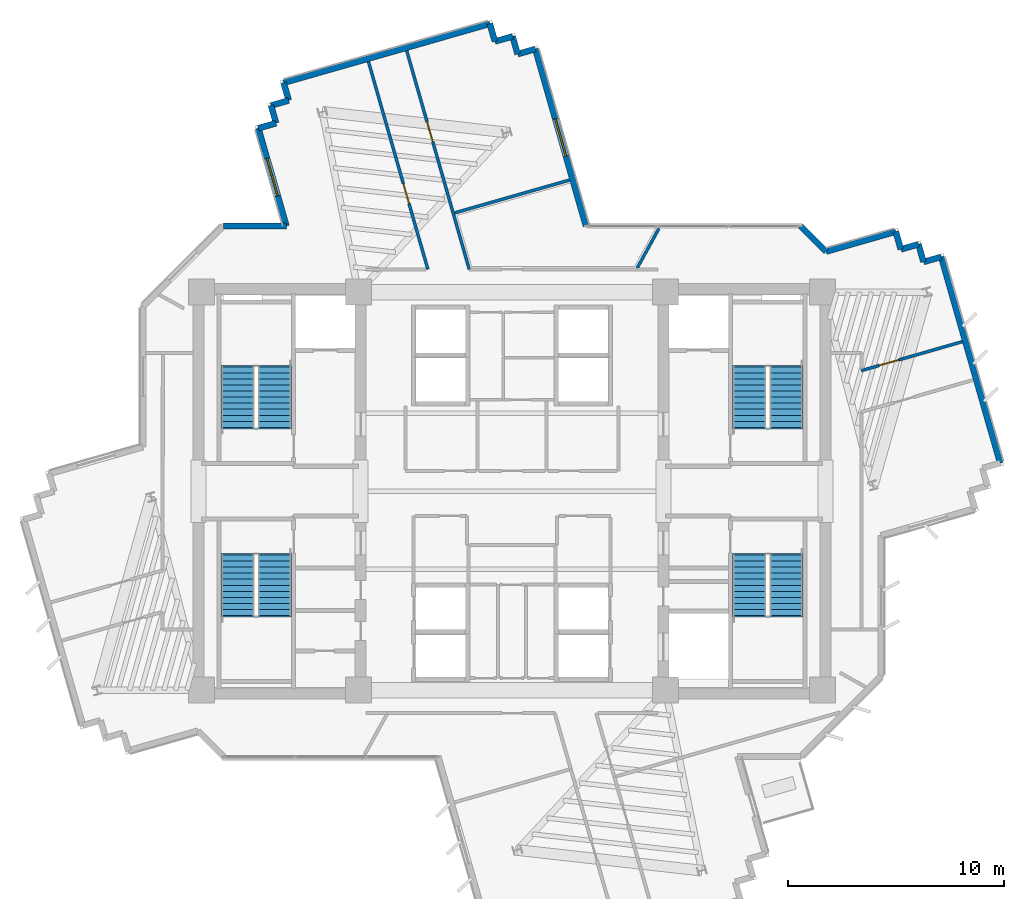
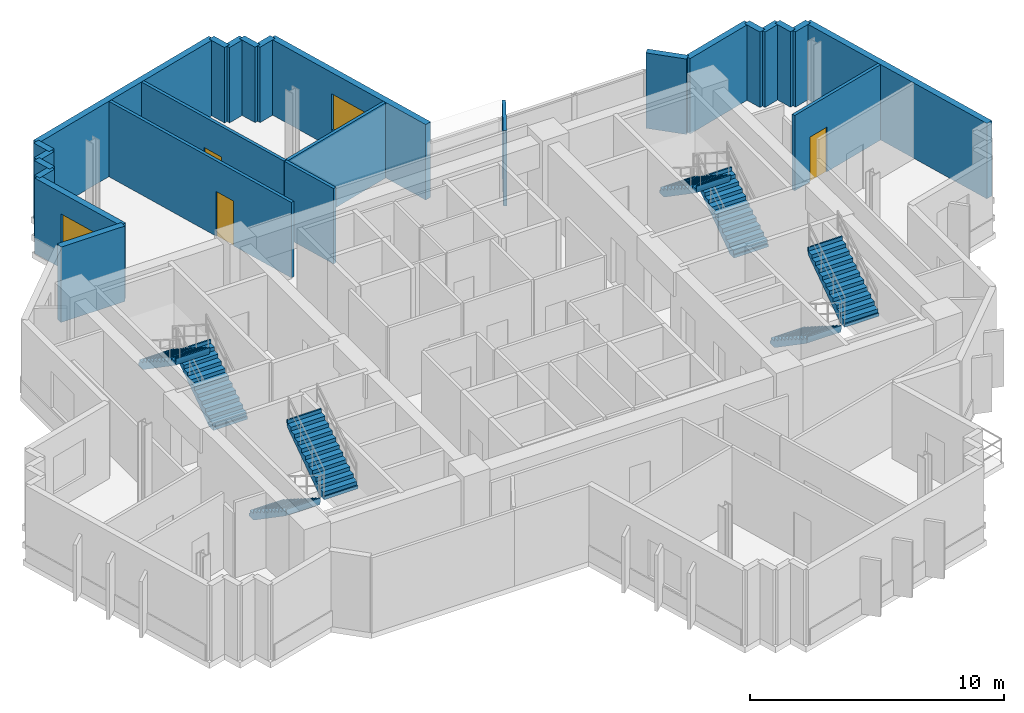
# One storey, part 9 of 14: 25 walls, 8 stair flights, 3 doors, 2 windows, 5 openings, 4 elements without a shape of their own.
"""IFC4 building model written with IfcOpenShell, lengths in metres."""

import ifcopenshell
import ifcopenshell.guid

model = None  # the IFC model being written
_history = None  # IfcOwnerHistory: only IFC2X3 demands one
_inside = {}  # id of a spatial element -> (the spatial element, [elements in it])
_under = {}  # id of a project, library or spatial element -> (it, [spatial elements below it])
_declared = {}  # id of a project -> (the project, [libraries it declares])
_typed = {}  # id of a type object -> (the type object, [elements of that type])
_made_of = {}  # id of a material, layer set ... -> (it, [elements and type objects made of it])


def new_model(schema):
    """Start an empty IFC model of exactly this schema.

    Asked for "IFC4X3", IfcOpenShell would pick the latest addendum, in which some entities
    have other attributes; the version numbers below select the first issue.
    IFC2X3 requires an IfcOwnerHistory on every rooted entity: one is made here for all.
    """
    global model, _history
    if schema == "IFC4X3":
        model = ifcopenshell.file(schema_version=(4, 3, 0, 0))
    else:
        model = ifcopenshell.file(schema=schema)
    _inside.clear()
    _under.clear()
    _declared.clear()
    _typed.clear()
    _made_of.clear()
    _history = None
    if model.schema == "IFC2X3":
        org = make("IfcOrganization", Name="unknown")
        user = make(
            "IfcPersonAndOrganization",
            ThePerson=make("IfcPerson", FamilyName="unknown"),
            TheOrganization=org,
        )
        app = make(
            "IfcApplication",
            ApplicationDeveloper=org,
            Version="unknown",
            ApplicationFullName="unknown",
            ApplicationIdentifier="unknown",
        )
        _history = make(
            "IfcOwnerHistory",
            OwningUser=user,
            OwningApplication=app,
            ChangeAction="ADDED",
            CreationDate=0,
        )
    return model


def make(cls, **values):
    """One entity of the class cls with the attributes given. An attribute that is None is left unset."""
    return model.create_entity(
        cls, **{name: value for name, value in values.items() if value is not None}
    )


def rooted(cls, **values):
    """An entity with a GlobalId (a new one), such as an element, a storey or a relation."""
    return make(cls, GlobalId=ifcopenshell.guid.new(), OwnerHistory=_history, **values)


def si_unit(unit_type, name, prefix=None):
    """IfcSIUnit, for example si_unit("LENGTHUNIT", "METRE", prefix="MILLI")."""
    return make("IfcSIUnit", UnitType=unit_type, Prefix=prefix, Name=name)


def assignment(units):
    """IfcUnitAssignment: the units of a project."""
    return None if units is None else make("IfcUnitAssignment", Units=units)


def point(xyz):
    """IfcCartesianPoint."""
    return None if xyz is None else make("IfcCartesianPoint", Coordinates=xyz)


def direction(xyz):
    """IfcDirection."""
    return None if xyz is None else make("IfcDirection", DirectionRatios=xyz)


def frame(location, z_axis=None, x_axis=None):
    """IfcAxis2Placement3D, a coordinate frame: its origin and axes. An axis left out is left unset."""
    return make(
        "IfcAxis2Placement3D",
        Location=point(location),
        Axis=direction(z_axis),
        RefDirection=direction(x_axis),
    )


def frame_2d(location, x_axis=None):
    """IfcAxis2Placement2D, a coordinate frame in the plane: its origin and x axis."""
    return make(
        "IfcAxis2Placement2D", Location=point(location), RefDirection=direction(x_axis)
    )


def origin():
    """The frame at (0, 0, 0) with its axes left unset."""
    return frame((0.0, 0.0, 0.0))


def place(relative_to, where):
    """IfcLocalPlacement: puts the frame where relative to a parent placement (None: the world)."""
    return make(
        "IfcLocalPlacement", PlacementRelTo=relative_to, RelativePlacement=where
    )


def context(
    kind, dimensions, precision=None, world=None, true_north=None, identifier=None
):
    """IfcGeometricRepresentationContext, for example the 3D "Model" context."""
    return make(
        "IfcGeometricRepresentationContext",
        ContextIdentifier=identifier,
        ContextType=kind,
        CoordinateSpaceDimension=dimensions,
        Precision=precision,
        WorldCoordinateSystem=world,
        TrueNorth=true_north,
    )


def subcontext(parent, identifier, kind, view, scale=None):
    """IfcGeometricRepresentationSubContext, for example "Body" below "Model"."""
    return make(
        "IfcGeometricRepresentationSubContext",
        ContextIdentifier=identifier,
        ContextType=kind,
        ParentContext=parent,
        TargetScale=scale,
        TargetView=view,
    )


def project(units=None, contexts=None):
    """IfcProject with its units and contexts."""
    return rooted(
        "IfcProject",
        Name="project",
        RepresentationContexts=contexts,
        UnitsInContext=assignment(units),
    )


def spatial(cls, under=None, at=None, **own):
    """A site, building, storey or space (cls), placed at a placement, below another one or the project."""
    s = rooted(cls, ObjectPlacement=at, **own)
    if under is not None:
        _under.setdefault(under.id(), (under, []))[1].append(s)
    return s


def polyline(points):
    """IfcPolyline through the points."""
    return make("IfcPolyline", Points=[point(p) for p in points])


def profile(cls, at=None, kind="AREA", **sizes):
    """A parametric profile (cls). Its sizes go by their IFC names, for example OverallWidth=200.0."""
    return make(cls, ProfileType=kind, Position=at, **sizes)


def rectangle(**sizes):
    """IfcRectangleProfileDef."""
    return profile("IfcRectangleProfileDef", **sizes)


def outline(outer, holes=None, kind="AREA"):
    """IfcArbitraryClosedProfileDef: a profile drawn as a closed curve; with holes, ...WithVoids."""
    if holes is None:
        return make("IfcArbitraryClosedProfileDef", ProfileType=kind, OuterCurve=outer)
    return make(
        "IfcArbitraryProfileDefWithVoids",
        ProfileType=kind,
        OuterCurve=outer,
        InnerCurves=holes,
    )


def extrude(swept, where, along, depth):
    """IfcExtrudedAreaSolid: the profile swept, set in the frame where, extruded along a direction by depth."""
    return make(
        "IfcExtrudedAreaSolid",
        SweptArea=swept,
        Position=where,
        ExtrudedDirection=direction(along),
        Depth=depth,
    )


def shape(context_of_items, identifier, shape_type, items):
    """IfcShapeRepresentation: the items that make up one representation, for example the "Body"."""
    return make(
        "IfcShapeRepresentation",
        ContextOfItems=context_of_items,
        RepresentationIdentifier=identifier,
        RepresentationType=shape_type,
        Items=items,
    )


def source(mapping_origin, context_of_items, identifier, shape_type, items):
    """IfcRepresentationMap: a shape defined once, which mapped items show again and again."""
    return make(
        "IfcRepresentationMap",
        MappingOrigin=mapping_origin,
        MappedRepresentation=shape(context_of_items, identifier, shape_type, items),
    )


def transform(
    local_origin,
    x_axis=None,
    y_axis=None,
    z_axis=None,
    scale=None,
    scale2=None,
    scale3=None,
    uniform=True,
):
    """IfcCartesianTransformationOperator3D, or its non-uniform kind. x_axis, y_axis, z_axis: its Axis1, 2, 3."""
    if uniform:
        return make(
            "IfcCartesianTransformationOperator3D",
            Axis1=direction(x_axis),
            Axis2=direction(y_axis),
            LocalOrigin=point(local_origin),
            Scale=scale,
            Axis3=direction(z_axis),
        )
    return make(
        "IfcCartesianTransformationOperator3DnonUniform",
        Axis1=direction(x_axis),
        Axis2=direction(y_axis),
        LocalOrigin=point(local_origin),
        Scale=scale,
        Axis3=direction(z_axis),
        Scale2=scale2,
        Scale3=scale3,
    )


def mapped(mapping_source, mapping_target):
    """IfcMappedItem: shows the shape of a source again, moved by a transform."""
    return make(
        "IfcMappedItem", MappingSource=mapping_source, MappingTarget=mapping_target
    )


def material(Name=None, Category=None):
    """IfcMaterial."""
    return make("IfcMaterial", Name=Name, Category=Category)


def layer(
    of_material, thickness, ventilated=None, Name=None, Category=None, Priority=None
):
    """IfcMaterialLayer: one layer of a wall or slab, of a material (None: an air gap)."""
    return make(
        "IfcMaterialLayer",
        Material=of_material,
        LayerThickness=thickness,
        IsVentilated=ventilated,
        Name=Name,
        Category=Category,
        Priority=Priority,
    )


def layer_set(layers, Name=None):
    """IfcMaterialLayerSet."""
    return make("IfcMaterialLayerSet", MaterialLayers=layers, LayerSetName=Name)


def made_of(thing, what):
    """Note that an element or type object is made of a material, layer set ...; save() writes the relation."""
    if what is not None:
        _made_of.setdefault(what.id(), (what, []))[1].append(thing)
    return thing


def type_object(cls, material=None, **own):
    """A type object (cls), such as IfcWallType, which elements share."""
    return made_of(rooted(cls, **own), material)


def element(
    cls,
    number,
    at=None,
    inside=None,
    cuts=None,
    type_object=None,
    material=None,
    context=None,
    identifier="Body",
    shape_type=None,
    held_by="IfcProductDefinitionShape",
    body=None,
    shapes=None,
    **own,
):
    """One element of the class cls, such as IfcWall. Its Tag is "e" and its number.

    at: its placement. inside: the storey or other place that contains it. cuts: it is an
    opening in that element (IfcRelVoidsElement). A single representation is given by context,
    identifier, shape_type and body (its items); several are given by shapes. held_by: the class
    of the entity that holds the representations. save() writes the other relations.
    """
    e = rooted(cls, Tag="e%d" % number, ObjectPlacement=at, **own)
    if body is not None:
        shapes = [shape(context, identifier, shape_type, body)]
    if shapes is not None:
        e.Representation = make(held_by, Representations=shapes)
    if inside is not None:
        _inside.setdefault(inside.id(), (inside, []))[1].append(e)
    if cuts is not None:
        rooted(
            "IfcRelVoidsElement", RelatingBuildingElement=cuts, RelatedOpeningElement=e
        )
    if type_object is not None:
        _typed.setdefault(type_object.id(), (type_object, []))[1].append(e)
    return made_of(e, material)


def fill(opening, filler):
    """IfcRelFillsElement: the door or window that sits in an opening."""
    return rooted(
        "IfcRelFillsElement",
        RelatingOpeningElement=opening,
        RelatedBuildingElement=filler,
    )


def aggregate(whole, parts):
    """IfcRelAggregates: a whole, such as a stair, and the parts it consists of."""
    return rooted("IfcRelAggregates", RelatingObject=whole, RelatedObjects=parts)


def save(model, path):
    """Write the relations noted so far, then the file.

    IfcRelAggregates (storeys below a building ...), IfcRelContainedInSpatialStructure (elements
    in a storey), IfcRelDefinesByType, IfcRelAssociatesMaterial and IfcRelDeclares: one each for
    every whole, place, type object, material and project.
    """
    for whole, parts in _under.values():
        aggregate(whole, parts)
    for where, things in _inside.values():
        rooted(
            "IfcRelContainedInSpatialStructure",
            RelatedElements=things,
            RelatingStructure=where,
        )
    for kind, things in _typed.values():
        rooted("IfcRelDefinesByType", RelatedObjects=things, RelatingType=kind)
    for what, things in _made_of.values():
        rooted("IfcRelAssociatesMaterial", RelatedObjects=things, RelatingMaterial=what)
    for by, libraries in _declared.values():
        rooted("IfcRelDeclares", RelatingContext=by, RelatedDefinitions=libraries)
    model.write(path)


model = new_model("IFC4")

# Units and contexts
model_context = context("Model", 3, precision=1e-05, world=origin(), true_north=direction((0.0, 1.0)))
body_context = subcontext(model_context, "Body", "Model", "MODEL_VIEW")
ifc_project = project(units=[si_unit("LENGTHUNIT", "METRE"), si_unit("AREAUNIT", "SQUARE_METRE"), si_unit("VOLUMEUNIT", "CUBIC_METRE"), si_unit("PLANEANGLEUNIT", "RADIAN"), si_unit("MASSUNIT", "GRAM", prefix="KILO")], contexts=[model_context])

# Site, building, storey
site_placement = place(None, origin())
site = spatial("IfcSite", under=ifc_project, at=site_placement, CompositionType="ELEMENT")
building_placement = place(site_placement, origin())
building = spatial("IfcBuilding", under=site, at=building_placement, Name="Zahravan Cultural Tower", CompositionType="ELEMENT")
storey_placement = place(building_placement, frame((0.0, 0.0, 205.800048828125)))
storey = spatial("IfcBuildingStorey", under=building, at=storey_placement, Name="L48", CompositionType="ELEMENT", Elevation=205.800048828125)

# Wall, opening, window
ifc_material_1 = material(Name="Precast concrete C40/50", Category="concrete")
ifc_layer_1 = layer(ifc_material_1, 0.280029296875)
ifc_layer_set_1 = layer_set([ifc_layer_1], Name="Precast concrete C40/50")
wall_type_1 = type_object("IfcWallType", Name="EW-TC-280", PredefinedType="SOLIDWALL", material=ifc_layer_set_1)
wall_1_placement = place(storey_placement, frame((25.56689453125, 39.260009765625, 0.0), z_axis=(0.0, 0.0, 1.0), x_axis=(-0.274981611661, 0.961449485542, 0.0)))
wall_1 = element("IfcWall", 1, at=wall_1_placement, inside=storey, type_object=wall_type_1, Name="L48 Exterior Masonry Frame Wall 41", PredefinedType="SOLIDWALL", context=body_context, shape_type="SweptSolid", body=[
    extrude(rectangle(XDim=4.703857421875, YDim=0.280029296875, at=frame_2d((2.35205078125, 0.0))), origin(), (0.0, 0.0, 1.0), 3.619873046875),
])
opening_1_placement = place(wall_1_placement, frame((1.451904296875, 0.0, 0.85009765625)))
opening_1 = element("IfcOpeningElement", 2, at=opening_1_placement, cuts=wall_1, Name="Opening WN-02", PredefinedType="OPENING", context=body_context, shape_type="SweptSolid", body=[
    extrude(rectangle(XDim=1.800048828125, YDim=1.75, at=frame_2d((0.89990234375, 0.875))), frame((0.0, 0.14990234375, 0.0), z_axis=(0.0, -1.0, 0.0), x_axis=(1.0, 0.0, 0.0)), (0.0, 0.0, 1.0), 0.300048828125),
])
ifc_material_2 = material(Name="Low-E solar-control double glazing", Category="glass")
window_type = type_object("IfcWindowType", Name="WN-REC-1800X1750", PartitioningType="DOUBLE_PANEL_VERTICAL", PredefinedType="WINDOW", material=ifc_material_2)
shared_shape_1 = source(origin(), body_context, "Body", "SweptSolid", [
    extrude(rectangle(XDim=1.800048828125, YDim=1.75, at=frame_2d((0.89990234375, 0.875))), frame((0.0, 0.030029296875, 0.0), z_axis=(0.0, -1.0, 0.0), x_axis=(1.0, 0.0, 0.0)), (0.0, 0.0, 1.0), 0.06005859375),
])
window_1_placement = place(opening_1_placement, origin())
window_1 = element("IfcWindow", 3, at=window_1_placement, inside=storey, type_object=window_type, Name="L48 Recessed Solar Window 07", OverallHeight=1.75, OverallWidth=1.800048828125, PartitioningType="DOUBLE_PANEL_VERTICAL", PredefinedType="WINDOW", context=body_context, shape_type="MappedRepresentation", body=[
    mapped(shared_shape_1, transform((0.0, 0.0, 0.0), x_axis=(1.0, 0.0, 0.0), y_axis=(0.0, 1.0, 0.0), z_axis=(0.0, 0.0, 1.0), scale=1.0)),
])
fill(opening_1, window_1)

wall_2_placement = place(storey_placement, frame((37.079833984375, 47.445068359375, 0.0), z_axis=(0.0, 0.0, 1.0), x_axis=(0.27496352843, -0.961454657295, 0.0)))
wall_2 = element("IfcWall", 4, at=wall_2_placement, inside=storey, type_object=wall_type_1, Name="L48 Exterior Masonry Frame Wall 51", PredefinedType="SOLIDWALL", context=body_context, shape_type="SweptSolid", body=[
    extrude(rectangle(XDim=8.51318359375, YDim=0.280029296875, at=frame_2d((4.256591796875, 0.0))), origin(), (0.0, 0.0, 1.0), 3.619873046875),
])
opening_2_placement = place(wall_2_placement, frame((3.35693359375, 0.0, 0.85009765625)))
opening_2 = element("IfcOpeningElement", 5, at=opening_2_placement, cuts=wall_2, Name="Opening WN-02", PredefinedType="OPENING", context=body_context, shape_type="SweptSolid", body=[
    extrude(rectangle(XDim=1.800048828125, YDim=1.75, at=frame_2d((0.89990234375, 0.875))), frame((0.0, 0.14990234375, 0.0), z_axis=(0.0, -1.0, 0.0), x_axis=(1.0, 0.0, 0.0)), (0.0, 0.0, 1.0), 0.300048828125),
])
window_2_placement = place(opening_2_placement, origin())
window_2 = element("IfcWindow", 6, at=window_2_placement, inside=storey, type_object=window_type, Name="L48 Recessed Solar Window 08", OverallHeight=1.75, OverallWidth=1.800048828125, PartitioningType="DOUBLE_PANEL_VERTICAL", PredefinedType="WINDOW", context=body_context, shape_type="MappedRepresentation", body=[
    mapped(shared_shape_1, transform((0.0, 0.0, 0.0), x_axis=(1.0, 0.0, 0.0), y_axis=(0.0, 1.0, 0.0), z_axis=(0.0, 0.0, 1.0), scale=1.0)),
])
fill(opening_2, window_2)

# Wall, opening, door
ifc_material_3 = material(Name="Gypsum plasterboard partition")
ifc_layer_2 = layer(ifc_material_3, 0.139892578125)
ifc_layer_set_2 = layer_set([ifc_layer_2], Name="Gypsum plasterboard partition")
wall_type_2 = type_object("IfcWallType", Name="W-PART-140", PredefinedType="PARTITIONING", material=ifc_layer_set_2)
wall_3_placement = place(storey_placement, frame((33.277099609375, 39.8671875, 0.0), z_axis=(0.0, 0.0, 1.0), x_axis=(-0.274985856522, 0.96144827147, 0.0)))
wall_3 = element("IfcWall", 7, at=wall_3_placement, inside=storey, type_object=wall_type_2, Name="L48 Interior Wall 102", PredefinedType="PARTITIONING", context=body_context, shape_type="SweptSolid", body=[
    extrude(rectangle(XDim=7.795166015625, YDim=0.139892578125, at=frame_2d((3.8974609375, 0.0))), origin(), (0.0, 0.0, 1.0), 3.619873046875),
])
opening_3_placement = place(wall_3_placement, frame((3.422607421875, 0.0, 0.0)))
opening_3 = element("IfcOpeningElement", 8, at=opening_3_placement, cuts=wall_3, Name="Opening D-L48-26", PredefinedType="OPENING", context=body_context, shape_type="SweptSolid", body=[
    extrude(rectangle(XDim=0.949951171875, YDim=2.14990234375, at=frame_2d((0.47509765625, 1.074951171875))), frame((0.0, 0.079833984375, 0.0), z_axis=(0.0, -1.0, 0.0), x_axis=(1.0, 0.0, 0.0)), (0.0, 0.0, 1.0), 0.159912109375),
])
ifc_material_4 = material(Name="Anodised bronze-aluminium mullion", Category="aluminium")
door_type = type_object("IfcDoorType", Name="DR-ROOM-950", OperationType="NOTDEFINED", PredefinedType="DOOR", material=ifc_material_4)
shared_shape_2 = source(origin(), body_context, "Body", "SweptSolid", [
    extrude(rectangle(XDim=0.949951171875, YDim=2.14990234375, at=frame_2d((0.47509765625, 1.074951171875))), frame((0.0, 0.02490234375, 0.0), z_axis=(0.0, -1.0, 0.0), x_axis=(1.0, 0.0, 0.0)), (0.0, 0.0, 1.0), 0.050048828125),
])
door_1_placement = place(opening_3_placement, origin())
door_1 = element("IfcDoor", 9, at=door_1_placement, inside=storey, type_object=door_type, Name="L48 Door D-L48-26", OperationType="SINGLE_SWING_LEFT", OverallHeight=2.14990234375, OverallWidth=0.949951171875, PredefinedType="DOOR", context=body_context, shape_type="MappedRepresentation", body=[
    mapped(shared_shape_2, transform((0.0, 0.0, 0.0), x_axis=(1.0, 0.0, 0.0), y_axis=(0.0, 1.0, 0.0), z_axis=(0.0, 0.0, 1.0), scale=1.0)),
])
fill(opening_3, door_1)

wall_4_placement = place(storey_placement, frame((56.8173828125, 33.910400390625, 0.0), z_axis=(0.0, 0.0, 1.0), x_axis=(-0.961461296262, -0.274940313143, 0.0)))
wall_4 = element("IfcWall", 10, at=wall_4_placement, inside=storey, type_object=wall_type_2, Name="L48 Interior Wall 112", PredefinedType="PARTITIONING", context=body_context, shape_type="SweptSolid", body=[
    extrude(rectangle(XDim=4.8544921875, YDim=0.139892578125, at=frame_2d((2.42724609375, 0.0))), origin(), (0.0, 0.0, 1.0), 3.619873046875),
])
opening_4_placement = place(wall_4_placement, frame((3.04541015625, 0.0, 0.0)))
opening_4 = element("IfcOpeningElement", 11, at=opening_4_placement, cuts=wall_4, Name="Opening D-L48-24", PredefinedType="OPENING", context=body_context, shape_type="SweptSolid", body=[
    extrude(rectangle(XDim=0.949951171875, YDim=2.14990234375, at=frame_2d((0.47509765625, 1.074951171875))), frame((0.0, 0.079833984375, 0.0), z_axis=(0.0, -1.0, 0.0), x_axis=(1.0, 0.0, 0.0)), (0.0, 0.0, 1.0), 0.159912109375),
])
door_2_placement = place(opening_4_placement, origin())
door_2 = element("IfcDoor", 12, at=door_2_placement, inside=storey, type_object=door_type, Name="L48 Door D-L48-24", OperationType="SINGLE_SWING_LEFT", OverallHeight=2.14990234375, OverallWidth=0.949951171875, PredefinedType="DOOR", context=body_context, shape_type="MappedRepresentation", body=[
    mapped(shared_shape_2, transform((0.0, 0.0, 0.0), x_axis=(1.0, 0.0, 0.0), y_axis=(0.0, 1.0, 0.0), z_axis=(0.0, 0.0, 1.0), scale=1.0)),
])
fill(opening_4, door_2)

wall_5_placement = place(storey_placement, frame((29.364501953125, 46.85595703125, 0.0), z_axis=(0.0, 0.0, 1.0), x_axis=(0.274969885882, -0.961452839123, 0.0)))
wall_5 = element("IfcWall", 13, at=wall_5_placement, inside=storey, type_object=wall_type_2, Name="L48 Interior Wall 120", PredefinedType="PARTITIONING", context=body_context, shape_type="SweptSolid", body=[
    extrude(rectangle(XDim=9.980712890625, YDim=0.139892578125, at=frame_2d((4.990234375, 0.0))), origin(), (0.0, 0.0, 1.0), 3.619873046875),
])
opening_5_placement = place(wall_5_placement, frame((5.869873046875, 0.0, 0.0)))
opening_5 = element("IfcOpeningElement", 14, at=opening_5_placement, cuts=wall_5, Name="Opening D-L48-27", PredefinedType="OPENING", context=body_context, shape_type="SweptSolid", body=[
    extrude(rectangle(XDim=0.949951171875, YDim=2.14990234375, at=frame_2d((0.47509765625, 1.074951171875))), frame((0.0, 0.079833984375, 0.0), z_axis=(0.0, -1.0, 0.0), x_axis=(1.0, 0.0, 0.0)), (0.0, 0.0, 1.0), 0.159912109375),
])
door_3_placement = place(opening_5_placement, origin())
door_3 = element("IfcDoor", 15, at=door_3_placement, inside=storey, type_object=door_type, Name="L48 Door D-L48-27", OperationType="SINGLE_SWING_RIGHT", OverallHeight=2.14990234375, OverallWidth=0.949951171875, PredefinedType="DOOR", context=body_context, shape_type="MappedRepresentation", body=[
    mapped(shared_shape_2, transform((0.0, 0.0, 0.0), x_axis=(1.0, 0.0, 0.0), y_axis=(0.0, 1.0, 0.0), z_axis=(0.0, 0.0, 1.0), scale=1.0)),
])
fill(opening_5, door_3)

# Walls
shared_shape_3 = source(origin(), body_context, "Body", "SweptSolid", [
    extrude(rectangle(XDim=0.85009765625, YDim=0.280029296875, at=frame_2d((0.425048828125, 0.0))), origin(), (0.0, 0.0, 1.0), 3.619873046875),
])
for number, where, z_axis, x_axis, name in (
    (16, (53.743896484375, 39.001708984375, 0.0), (0.0, 0.0, 1.0), (0.275100375961, -0.961415510144, 0.0), "L48 Exterior Masonry Frame Wall 02"),
    (17, (54.794921875, 38.418212890625, 0.0), (0.0, 0.0, 1.0), (0.274834915789, -0.961491429532, 0.0), "L48 Exterior Masonry Frame Wall 04"),
    (18, (25.090576171875, 44.01611328125, 0.0), (0.0, 0.0, 1.0), (-0.274834915789, 0.961491429532, 0.0), "L48 Exterior Masonry Frame Wall 43"),
    (19, (25.674072265625, 45.067138671875, 0.0), (0.0, 0.0, 1.0), (-0.274834915789, 0.961491429532, 0.0), "L48 Exterior Masonry Frame Wall 45"),
    (20, (36.029052734375, 48.028564453125, 0.0), (0.0, 0.0, 1.0), (0.274834915789, -0.961491429532, 0.0), "L48 Exterior Masonry Frame Wall 49"),
):
    element("IfcWall", number, at=place(storey_placement, frame(where, z_axis=z_axis, x_axis=x_axis)), inside=storey, type_object=wall_type_1, Name=name, PredefinedType="SOLIDWALL", context=body_context, shape_type="MappedRepresentation", body=[
        mapped(shared_shape_3, transform((0.0, 0.0, 0.0), x_axis=(1.0, 0.0, 0.0), y_axis=(0.0, 1.0, 0.0), z_axis=(0.0, 0.0, 1.0), scale=1.0)),
    ])
shared_shape_4 = source(origin(), body_context, "Body", "SweptSolid", [
    extrude(rectangle(XDim=0.849853515625, YDim=0.280029296875, at=frame_2d((0.4248046875, 0.0))), origin(), (0.0, 0.0, 1.0), 3.619873046875),
])
for number, where, z_axis, x_axis, name in (
    (21, (53.977783203125, 38.184326171875, 0.0), (0.0, 0.0, 1.0), (0.961393768724, 0.275176346112, 0.0), "L48 Exterior Masonry Frame Wall 03"),
    (22, (55.028564453125, 37.600830078125, 0.0), (0.0, 0.0, 1.0), (0.961393768724, 0.275176346112, 0.0), "L48 Exterior Masonry Frame Wall 05"),
    (23, (24.2734375, 43.782470703125, 0.0), (0.0, 0.0, 1.0), (0.961469728335, 0.274910824624, 0.0), "L48 Exterior Masonry Frame Wall 42"),
    (24, (24.85693359375, 44.83349609375, 0.0), (0.0, 0.0, 1.0), (0.961469728335, 0.274910824624, 0.0), "L48 Exterior Masonry Frame Wall 44"),
    (25, (34.97802734375, 48.612060546875, 0.0), (0.0, 0.0, 1.0), (0.275176346112, -0.961393768724, 0.0), "L48 Exterior Masonry Frame Wall 47"),
    (26, (35.2119140625, 47.794921875, 0.0), (0.0, 0.0, 1.0), (0.961469728335, 0.274910824624, 0.0), "L48 Exterior Masonry Frame Wall 48"),
    (27, (36.2626953125, 47.211181640625, 0.0), (0.0, 0.0, 1.0), (0.961393768724, 0.275176346112, 0.0), "L48 Exterior Masonry Frame Wall 50"),
):
    element("IfcWall", number, at=place(storey_placement, frame(where, z_axis=z_axis, x_axis=x_axis)), inside=storey, type_object=wall_type_1, Name=name, PredefinedType="SOLIDWALL", context=body_context, shape_type="MappedRepresentation", body=[
        mapped(shared_shape_4, transform((0.0, 0.0, 0.0), x_axis=(1.0, 0.0, 0.0), y_axis=(0.0, 1.0, 0.0), z_axis=(0.0, 0.0, 1.0), scale=1.0)),
    ])
shared_shape_5 = source(origin(), body_context, "Body", "SweptSolid", [
    extrude(rectangle(XDim=9.919921875, YDim=0.280029296875, at=frame_2d((4.9599609375, 0.0))), origin(), (0.0, 0.0, 1.0), 3.619873046875),
])
wall_6_placement = place(storey_placement, frame((25.4404296875, 45.884521484375, 0.0), z_axis=(0.0, 0.0, 1.0), x_axis=(0.961457051276, 0.274955157346, 0.0)))
element("IfcWall", 28, at=wall_6_placement, inside=storey, type_object=wall_type_1, Name="L48 Exterior Masonry Frame Wall 46", PredefinedType="SOLIDWALL", context=body_context, shape_type="MappedRepresentation", body=[
    mapped(shared_shape_5, transform((0.0, 0.0, 0.0), x_axis=(1.0, 0.0, 0.0), y_axis=(0.0, 1.0, 0.0), z_axis=(0.0, 0.0, 1.0), scale=1.0)),
])
shared_shape_6 = source(origin(), body_context, "Body", "SweptSolid", [
    extrude(rectangle(XDim=9.920166015625, YDim=0.280029296875, at=frame_2d((4.9599609375, 0.0))), origin(), (0.0, 0.0, 1.0), 3.619873046875),
])
wall_7_placement = place(storey_placement, frame((55.845703125, 37.834716796875, 0.0), z_axis=(0.0, 0.0, 1.0), x_axis=(0.274971401171, -0.961452405758, 0.0)))
element("IfcWall", 29, at=wall_7_placement, inside=storey, type_object=wall_type_1, Name="L48 Exterior Masonry Frame Wall 06", PredefinedType="SOLIDWALL", context=body_context, shape_type="MappedRepresentation", body=[
    mapped(shared_shape_6, transform((0.0, 0.0, 0.0), x_axis=(1.0, 0.0, 0.0), y_axis=(0.0, 1.0, 0.0), z_axis=(0.0, 0.0, 1.0), scale=1.0)),
])
shared_shape_7 = source(origin(), body_context, "Body", "SweptSolid", [
    extrude(rectangle(XDim=3.35107421875, YDim=0.280029296875, at=frame_2d((1.675537109375, 0.0))), origin(), (0.0, 0.0, 1.0), 3.619873046875),
])
wall_8_placement = place(storey_placement, frame((50.52197265625, 38.080078125, 0.0), z_axis=(0.0, 0.0, 1.0), x_axis=(0.961438677319, 0.275019398869, 0.0)))
element("IfcWall", 30, at=wall_8_placement, inside=storey, type_object=wall_type_1, Name="L48 Exterior Masonry Frame Wall 01", PredefinedType="SOLIDWALL", context=body_context, shape_type="MappedRepresentation", body=[
    mapped(shared_shape_7, transform((0.0, 0.0, 0.0), x_axis=(1.0, 0.0, 0.0), y_axis=(0.0, 1.0, 0.0), z_axis=(0.0, 0.0, 1.0), scale=1.0)),
])
shared_shape_8 = source(origin(), body_context, "Body", "SweptSolid", [
    extrude(rectangle(XDim=2.908935546875, YDim=0.280029296875, at=frame_2d((1.45458984375, 0.0))), origin(), (0.0, 0.0, 1.0), 3.619873046875),
])
wall_9_placement = place(storey_placement, frame((22.657958984375, 39.260009765625, 0.0), z_axis=(0.0, 0.0, 1.0), x_axis=(1.0, 0.0, 0.0)))
element("IfcWall", 31, at=wall_9_placement, inside=storey, type_object=wall_type_1, Name="L48 Exterior Masonry Frame Wall 40", PredefinedType="SOLIDWALL", context=body_context, shape_type="MappedRepresentation", body=[
    mapped(shared_shape_8, transform((0.0, 0.0, 0.0), x_axis=(1.0, 0.0, 0.0), y_axis=(0.0, 1.0, 0.0), z_axis=(0.0, 0.0, 1.0), scale=1.0)),
])
shared_shape_9 = source(origin(), body_context, "Body", "SweptSolid", [
    extrude(rectangle(XDim=1.668701171875, YDim=0.280029296875, at=frame_2d((0.83447265625, 0.0))), origin(), (0.0, 0.0, 1.0), 3.619873046875),
])
wall_10_placement = place(storey_placement, frame((49.342041015625, 39.260009765625, 0.0), z_axis=(0.0, 0.0, 1.0), x_axis=(0.707106781187, -0.707106781187, 0.0)))
element("IfcWall", 32, at=wall_10_placement, inside=storey, type_object=wall_type_1, Name="L48 Exterior Masonry Frame Wall 52", PredefinedType="SOLIDWALL", context=body_context, shape_type="MappedRepresentation", body=[
    mapped(shared_shape_9, transform((0.0, 0.0, 0.0), x_axis=(1.0, 0.0, 0.0), y_axis=(0.0, 1.0, 0.0), z_axis=(0.0, 0.0, 1.0), scale=1.0)),
])
shared_shape_10 = source(origin(), body_context, "Body", "SweptSolid", [
    extrude(rectangle(XDim=2.691650390625, YDim=0.139892578125, at=frame_2d((1.345703125, 0.0))), origin(), (0.0, 0.0, 1.0), 3.619873046875),
])
wall_11_placement = place(storey_placement, frame((34.022705078125, 37.260009765625, 0.0), z_axis=(0.0, 0.0, 1.0), x_axis=(-0.27500862401, 0.961441759401, 0.0)))
element("IfcWall", 33, at=wall_11_placement, inside=storey, type_object=wall_type_2, Name="L48 Interior Wall 093", PredefinedType="PARTITIONING", context=body_context, shape_type="MappedRepresentation", body=[
    mapped(shared_shape_10, transform((0.0, 0.0, 0.0), x_axis=(1.0, 0.0, 0.0), y_axis=(0.0, 1.0, 0.0), z_axis=(0.0, 0.0, 1.0), scale=1.0)),
])
shared_shape_11 = source(origin(), body_context, "Body", "SweptSolid", [
    extrude(rectangle(XDim=5.520263671875, YDim=0.139892578125, at=frame_2d((2.76025390625, 0.0))), origin(), (0.0, 0.0, 1.0), 3.619873046875),
])
wall_12_placement = place(storey_placement, frame((33.3544921875, 39.86865234375, 0.0), z_axis=(0.0, 0.0, 1.0), x_axis=(0.961455490798, 0.274960613933, 0.0)))
element("IfcWall", 34, at=wall_12_placement, inside=storey, type_object=wall_type_2, Name="L48 Interior Wall 094", PredefinedType="PARTITIONING", context=body_context, shape_type="MappedRepresentation", body=[
    mapped(shared_shape_11, transform((0.0, 0.0, 0.0), x_axis=(1.0, 0.0, 0.0), y_axis=(0.0, 1.0, 0.0), z_axis=(0.0, 0.0, 1.0), scale=1.0)),
])
shared_shape_12 = source(origin(), body_context, "Body", "SweptSolid", [
    extrude(rectangle(XDim=2.079833984375, YDim=0.139892578125, at=frame_2d((1.0400390625, 0.0))), origin(), (0.0, 0.0, 1.0), 3.619873046875),
])
wall_13_placement = place(storey_placement, frame((42.792236328125, 39.14501953125, 0.0), z_axis=(0.0, 0.0, 1.0), x_axis=(-0.481301259497, -0.87655524504, 0.0)))
element("IfcWall", 35, at=wall_13_placement, inside=storey, type_object=wall_type_2, Name="L48 Interior Wall 095", PredefinedType="PARTITIONING", context=body_context, shape_type="MappedRepresentation", body=[
    mapped(shared_shape_12, transform((0.0, 0.0, 0.0), x_axis=(1.0, 0.0, 0.0), y_axis=(0.0, 1.0, 0.0), z_axis=(0.0, 0.0, 1.0), scale=1.0)),
])

# Stair, stair flights
ifc_material_5 = material(Name="Concrete C45/55", Category="concrete")
stair_type = type_object("IfcStairType", Name="STR-DL-1550-390", PredefinedType="HALF_TURN_STAIR", material=ifc_material_5)
stair_1_placement = place(storey_placement, origin())
stair_1 = element("IfcStair", 36, at=stair_1_placement, inside=storey, type_object=stair_type, Name="L48 West Core North Exit Stair ST-W1", PredefinedType="HALF_TURN_STAIR")
stair_flight_type = type_object("IfcStairFlightType", Name="FLG-DL-1550-390", PredefinedType="STRAIGHT", material=ifc_material_5)
stair_flight_1_placement = place(storey_placement, frame((25.02490234375, 29.949951171875, 0.0), z_axis=(0.0, 0.0, 1.0), x_axis=(0.0, 1.0, 0.0)))
stair_flight_1 = element("IfcStairFlight", 37, at=stair_flight_1_placement, type_object=stair_flight_type, Name="ST-W1 flight 1", NumberOfRisers=11, NumberOfTreads=10, PredefinedType="STRAIGHT", RiserHeight=0.177272727, TreadLength=0.28, context=body_context, shape_type="SweptSolid", body=[
    extrude(outline(polyline([(-0.06494140625, -0.139892578125), (-0.06494140625, 0.0), (0.0, 0.0), (0.0, 0.17724609375), (0.280029296875, 0.17724609375), (0.280029296875, 0.3544921875), (0.56005859375, 0.3544921875), (0.56005859375, 0.53173828125), (0.840087890625, 0.53173828125), (0.840087890625, 0.708984375), (1.1201171875, 0.708984375), (1.1201171875, 0.886474609375), (1.39990234375, 0.886474609375), (1.39990234375, 1.063720703125), (1.679931640625, 1.063720703125), (1.679931640625, 1.240966796875), (1.9599609375, 1.240966796875), (1.9599609375, 1.418212890625), (2.239990234375, 1.418212890625), (2.239990234375, 1.595458984375), (2.52001953125, 1.595458984375), (2.52001953125, 1.772705078125), (2.800048828125, 1.772705078125), (2.800048828125, 1.949951171875), (2.864990234375, 1.949951171875), (2.864990234375, 1.800048828125), (2.800048828125, 1.59521484375), (0.2802734375, -0.139892578125), (-0.06494140625, -0.139892578125)])), frame((0.0, 0.77490234375, 0.0), z_axis=(0.0, -1.0, 0.0), x_axis=(1.0, 0.0, 0.0)), (0.0, 0.0, 1.0), 1.550048828125),
])
stair_flight_2_placement = place(storey_placement, frame((23.324951171875, 32.75, 1.949951171875), z_axis=(0.0, 0.0, 1.0), x_axis=(0.0, -1.0, 0.0)))
stair_flight_2 = element("IfcStairFlight", 38, at=stair_flight_2_placement, type_object=stair_flight_type, Name="ST-W1 flight 2", NumberOfRisers=11, NumberOfTreads=10, PredefinedType="STRAIGHT", RiserHeight=0.177272727, TreadLength=0.28, context=body_context, shape_type="SweptSolid", body=[
    extrude(outline(polyline([(-0.06494140625, -0.139892578125), (-0.06494140625, 0.0), (0.0, 0.0), (0.0, 0.17724609375), (0.280029296875, 0.17724609375), (0.280029296875, 0.3544921875), (0.56005859375, 0.3544921875), (0.56005859375, 0.53173828125), (0.840087890625, 0.53173828125), (0.840087890625, 0.708984375), (1.1201171875, 0.708984375), (1.1201171875, 0.886474609375), (1.39990234375, 0.886474609375), (1.39990234375, 1.063720703125), (1.679931640625, 1.063720703125), (1.679931640625, 1.240966796875), (1.9599609375, 1.240966796875), (1.9599609375, 1.418212890625), (2.239990234375, 1.418212890625), (2.239990234375, 1.595458984375), (2.52001953125, 1.595458984375), (2.52001953125, 1.772705078125), (2.800048828125, 1.772705078125), (2.800048828125, 1.949951171875), (2.864990234375, 1.949951171875), (2.864990234375, 1.800048828125), (2.800048828125, 1.59521484375), (0.2802734375, -0.139892578125), (-0.06494140625, -0.139892578125)])), frame((0.0, 0.77490234375, 0.0), z_axis=(0.0, -1.0, 0.0), x_axis=(1.0, 0.0, 0.0)), (0.0, 0.0, 1.0), 1.550048828125),
])
aggregate(stair_1, [stair_flight_1, stair_flight_2])

stair_2_placement = place(storey_placement, origin())
stair_2 = element("IfcStair", 39, at=stair_2_placement, inside=storey, type_object=stair_type, Name="L48 West Core South Exit Stair ST-W2", PredefinedType="HALF_TURN_STAIR")
stair_flight_3_placement = place(storey_placement, frame((23.324951171875, 24.050048828125, 0.0), z_axis=(0.0, 0.0, 1.0), x_axis=(0.0, -1.0, 0.0)))
stair_flight_3 = element("IfcStairFlight", 40, at=stair_flight_3_placement, type_object=stair_flight_type, Name="ST-W2 flight 1", NumberOfRisers=11, NumberOfTreads=10, PredefinedType="STRAIGHT", RiserHeight=0.177272727, TreadLength=0.28, context=body_context, shape_type="SweptSolid", body=[
    extrude(outline(polyline([(-0.06494140625, -0.139892578125), (-0.06494140625, 0.0), (0.0, 0.0), (0.0, 0.17724609375), (0.280029296875, 0.17724609375), (0.280029296875, 0.3544921875), (0.56005859375, 0.3544921875), (0.56005859375, 0.53173828125), (0.840087890625, 0.53173828125), (0.840087890625, 0.708984375), (1.1201171875, 0.708984375), (1.1201171875, 0.886474609375), (1.39990234375, 0.886474609375), (1.39990234375, 1.063720703125), (1.679931640625, 1.063720703125), (1.679931640625, 1.240966796875), (1.9599609375, 1.240966796875), (1.9599609375, 1.418212890625), (2.239990234375, 1.418212890625), (2.239990234375, 1.595458984375), (2.52001953125, 1.595458984375), (2.52001953125, 1.772705078125), (2.800048828125, 1.772705078125), (2.800048828125, 1.949951171875), (2.864990234375, 1.949951171875), (2.864990234375, 1.800048828125), (2.800048828125, 1.59521484375), (0.2802734375, -0.139892578125), (-0.06494140625, -0.139892578125)])), frame((0.0, 0.77490234375, 0.0), z_axis=(0.0, -1.0, 0.0), x_axis=(1.0, 0.0, 0.0)), (0.0, 0.0, 1.0), 1.550048828125),
])
stair_flight_4_placement = place(storey_placement, frame((25.02490234375, 21.25, 1.949951171875), z_axis=(0.0, 0.0, 1.0), x_axis=(0.0, 1.0, 0.0)))
stair_flight_4 = element("IfcStairFlight", 41, at=stair_flight_4_placement, type_object=stair_flight_type, Name="ST-W2 flight 2", NumberOfRisers=11, NumberOfTreads=10, PredefinedType="STRAIGHT", RiserHeight=0.177272727, TreadLength=0.28, context=body_context, shape_type="SweptSolid", body=[
    extrude(outline(polyline([(-0.06494140625, -0.139892578125), (-0.06494140625, 0.0), (0.0, 0.0), (0.0, 0.17724609375), (0.280029296875, 0.17724609375), (0.280029296875, 0.3544921875), (0.56005859375, 0.3544921875), (0.56005859375, 0.53173828125), (0.840087890625, 0.53173828125), (0.840087890625, 0.708984375), (1.1201171875, 0.708984375), (1.1201171875, 0.886474609375), (1.39990234375, 0.886474609375), (1.39990234375, 1.063720703125), (1.679931640625, 1.063720703125), (1.679931640625, 1.240966796875), (1.9599609375, 1.240966796875), (1.9599609375, 1.418212890625), (2.239990234375, 1.418212890625), (2.239990234375, 1.595458984375), (2.52001953125, 1.595458984375), (2.52001953125, 1.772705078125), (2.800048828125, 1.772705078125), (2.800048828125, 1.949951171875), (2.864990234375, 1.949951171875), (2.864990234375, 1.800048828125), (2.800048828125, 1.59521484375), (0.2802734375, -0.139892578125), (-0.06494140625, -0.139892578125)])), frame((0.0, 0.77490234375, 0.0), z_axis=(0.0, -1.0, 0.0), x_axis=(1.0, 0.0, 0.0)), (0.0, 0.0, 1.0), 1.550048828125),
])
aggregate(stair_2, [stair_flight_3, stair_flight_4])

stair_3_placement = place(storey_placement, origin())
stair_3 = element("IfcStair", 42, at=stair_3_placement, inside=storey, type_object=stair_type, Name="L48 East Core North Exit Stair ST-E1", PredefinedType="HALF_TURN_STAIR")
stair_flight_5_placement = place(storey_placement, frame((48.675048828125, 29.949951171875, 0.0), z_axis=(0.0, 0.0, 1.0), x_axis=(0.0, 1.0, 0.0)))
stair_flight_5 = element("IfcStairFlight", 43, at=stair_flight_5_placement, type_object=stair_flight_type, Name="ST-E1 flight 1", NumberOfRisers=11, NumberOfTreads=10, PredefinedType="STRAIGHT", RiserHeight=0.177272727, TreadLength=0.28, context=body_context, shape_type="SweptSolid", body=[
    extrude(outline(polyline([(-0.06494140625, -0.139892578125), (-0.06494140625, 0.0), (0.0, 0.0), (0.0, 0.17724609375), (0.280029296875, 0.17724609375), (0.280029296875, 0.3544921875), (0.56005859375, 0.3544921875), (0.56005859375, 0.53173828125), (0.840087890625, 0.53173828125), (0.840087890625, 0.708984375), (1.1201171875, 0.708984375), (1.1201171875, 0.886474609375), (1.39990234375, 0.886474609375), (1.39990234375, 1.063720703125), (1.679931640625, 1.063720703125), (1.679931640625, 1.240966796875), (1.9599609375, 1.240966796875), (1.9599609375, 1.418212890625), (2.239990234375, 1.418212890625), (2.239990234375, 1.595458984375), (2.52001953125, 1.595458984375), (2.52001953125, 1.772705078125), (2.800048828125, 1.772705078125), (2.800048828125, 1.949951171875), (2.864990234375, 1.949951171875), (2.864990234375, 1.800048828125), (2.800048828125, 1.59521484375), (0.2802734375, -0.139892578125), (-0.06494140625, -0.139892578125)])), frame((0.0, 0.77490234375, 0.0), z_axis=(0.0, -1.0, 0.0), x_axis=(1.0, 0.0, 0.0)), (0.0, 0.0, 1.0), 1.550048828125),
])
stair_flight_6_placement = place(storey_placement, frame((46.97509765625, 32.75, 1.949951171875), z_axis=(0.0, 0.0, 1.0), x_axis=(0.0, -1.0, 0.0)))
stair_flight_6 = element("IfcStairFlight", 44, at=stair_flight_6_placement, type_object=stair_flight_type, Name="ST-E1 flight 2", NumberOfRisers=11, NumberOfTreads=10, PredefinedType="STRAIGHT", RiserHeight=0.177272727, TreadLength=0.28, context=body_context, shape_type="SweptSolid", body=[
    extrude(outline(polyline([(-0.06494140625, -0.139892578125), (-0.06494140625, 0.0), (0.0, 0.0), (0.0, 0.17724609375), (0.280029296875, 0.17724609375), (0.280029296875, 0.3544921875), (0.56005859375, 0.3544921875), (0.56005859375, 0.53173828125), (0.840087890625, 0.53173828125), (0.840087890625, 0.708984375), (1.1201171875, 0.708984375), (1.1201171875, 0.886474609375), (1.39990234375, 0.886474609375), (1.39990234375, 1.063720703125), (1.679931640625, 1.063720703125), (1.679931640625, 1.240966796875), (1.9599609375, 1.240966796875), (1.9599609375, 1.418212890625), (2.239990234375, 1.418212890625), (2.239990234375, 1.595458984375), (2.52001953125, 1.595458984375), (2.52001953125, 1.772705078125), (2.800048828125, 1.772705078125), (2.800048828125, 1.949951171875), (2.864990234375, 1.949951171875), (2.864990234375, 1.800048828125), (2.800048828125, 1.59521484375), (0.2802734375, -0.139892578125), (-0.06494140625, -0.139892578125)])), frame((0.0, 0.77490234375, 0.0), z_axis=(0.0, -1.0, 0.0), x_axis=(1.0, 0.0, 0.0)), (0.0, 0.0, 1.0), 1.550048828125),
])
aggregate(stair_3, [stair_flight_5, stair_flight_6])

stair_4_placement = place(storey_placement, origin())
stair_4 = element("IfcStair", 45, at=stair_4_placement, inside=storey, type_object=stair_type, Name="L48 East Core South Exit Stair ST-E2", PredefinedType="HALF_TURN_STAIR")
stair_flight_7_placement = place(storey_placement, frame((46.97509765625, 24.050048828125, 0.0), z_axis=(0.0, 0.0, 1.0), x_axis=(0.0, -1.0, 0.0)))
stair_flight_7 = element("IfcStairFlight", 46, at=stair_flight_7_placement, type_object=stair_flight_type, Name="ST-E2 flight 1", NumberOfRisers=11, NumberOfTreads=10, PredefinedType="STRAIGHT", RiserHeight=0.177272727, TreadLength=0.28, context=body_context, shape_type="SweptSolid", body=[
    extrude(outline(polyline([(-0.06494140625, -0.139892578125), (-0.06494140625, 0.0), (0.0, 0.0), (0.0, 0.17724609375), (0.280029296875, 0.17724609375), (0.280029296875, 0.3544921875), (0.56005859375, 0.3544921875), (0.56005859375, 0.53173828125), (0.840087890625, 0.53173828125), (0.840087890625, 0.708984375), (1.1201171875, 0.708984375), (1.1201171875, 0.886474609375), (1.39990234375, 0.886474609375), (1.39990234375, 1.063720703125), (1.679931640625, 1.063720703125), (1.679931640625, 1.240966796875), (1.9599609375, 1.240966796875), (1.9599609375, 1.418212890625), (2.239990234375, 1.418212890625), (2.239990234375, 1.595458984375), (2.52001953125, 1.595458984375), (2.52001953125, 1.772705078125), (2.800048828125, 1.772705078125), (2.800048828125, 1.949951171875), (2.864990234375, 1.949951171875), (2.864990234375, 1.800048828125), (2.800048828125, 1.59521484375), (0.2802734375, -0.139892578125), (-0.06494140625, -0.139892578125)])), frame((0.0, 0.77490234375, 0.0), z_axis=(0.0, -1.0, 0.0), x_axis=(1.0, 0.0, 0.0)), (0.0, 0.0, 1.0), 1.550048828125),
])
stair_flight_8_placement = place(storey_placement, frame((48.675048828125, 21.25, 1.949951171875), z_axis=(0.0, 0.0, 1.0), x_axis=(0.0, 1.0, 0.0)))
stair_flight_8 = element("IfcStairFlight", 47, at=stair_flight_8_placement, type_object=stair_flight_type, Name="ST-E2 flight 2", NumberOfRisers=11, NumberOfTreads=10, PredefinedType="STRAIGHT", RiserHeight=0.177272727, TreadLength=0.28, context=body_context, shape_type="SweptSolid", body=[
    extrude(outline(polyline([(-0.06494140625, -0.139892578125), (-0.06494140625, 0.0), (0.0, 0.0), (0.0, 0.17724609375), (0.280029296875, 0.17724609375), (0.280029296875, 0.3544921875), (0.56005859375, 0.3544921875), (0.56005859375, 0.53173828125), (0.840087890625, 0.53173828125), (0.840087890625, 0.708984375), (1.1201171875, 0.708984375), (1.1201171875, 0.886474609375), (1.39990234375, 0.886474609375), (1.39990234375, 1.063720703125), (1.679931640625, 1.063720703125), (1.679931640625, 1.240966796875), (1.9599609375, 1.240966796875), (1.9599609375, 1.418212890625), (2.239990234375, 1.418212890625), (2.239990234375, 1.595458984375), (2.52001953125, 1.595458984375), (2.52001953125, 1.772705078125), (2.800048828125, 1.772705078125), (2.800048828125, 1.949951171875), (2.864990234375, 1.949951171875), (2.864990234375, 1.800048828125), (2.800048828125, 1.59521484375), (0.2802734375, -0.139892578125), (-0.06494140625, -0.139892578125)])), frame((0.0, 0.77490234375, 0.0), z_axis=(0.0, -1.0, 0.0), x_axis=(1.0, 0.0, 0.0)), (0.0, 0.0, 1.0), 1.550048828125),
])
aggregate(stair_4, [stair_flight_7, stair_flight_8])

save(model, "model.ifc")
